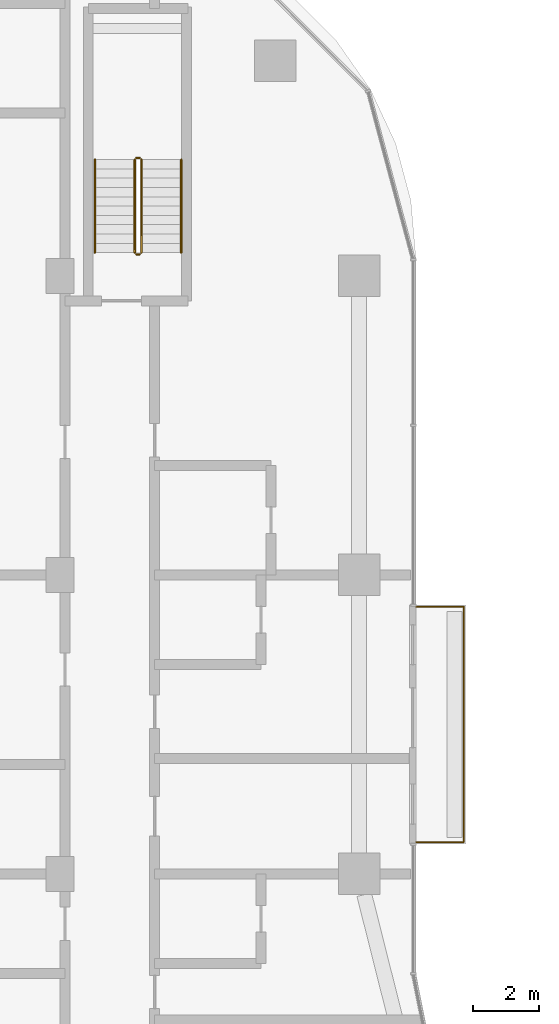
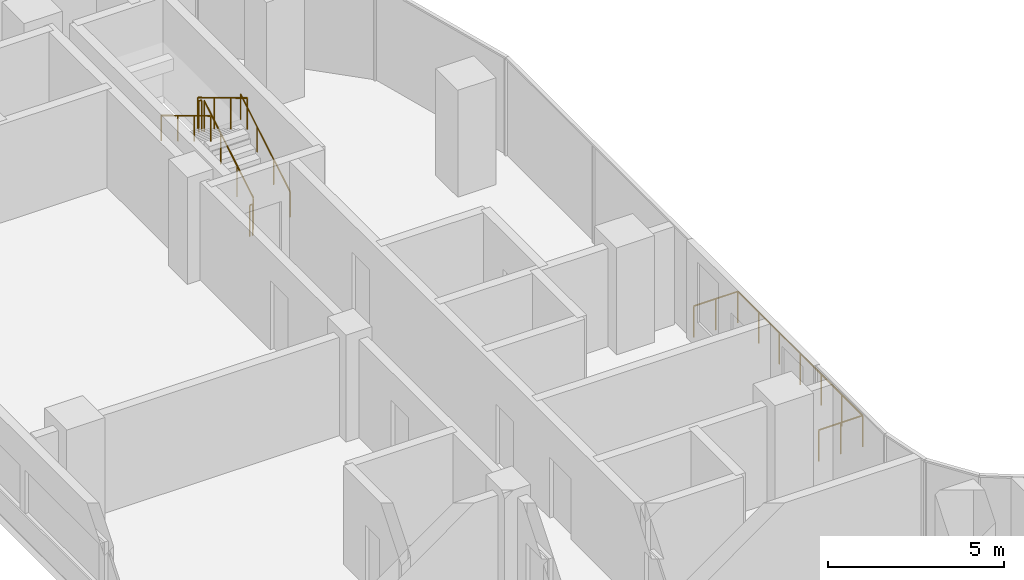
# One storey, part 23 of 23: 7 railings.
"""IFC4 building model written with IfcOpenShell, lengths in metres."""

from ifc_helpers import new_model, si_unit, direction, frame, origin, origin_2d, place, context, subcontext, project, spatial, circle, extrude, material, type_object, element, save


model = new_model("IFC4")

# Units and contexts
model_context = context("Model", 3, precision=1e-05, world=origin(), true_north=direction((0.0, 1.0)))
body_context = subcontext(model_context, "Body", "Model", "MODEL_VIEW")
ifc_project = project(units=[si_unit("LENGTHUNIT", "METRE"), si_unit("AREAUNIT", "SQUARE_METRE"), si_unit("VOLUMEUNIT", "CUBIC_METRE"), si_unit("PLANEANGLEUNIT", "RADIAN"), si_unit("MASSUNIT", "GRAM", prefix="KILO")], contexts=[model_context])

# Site, building, storey
site_placement = place(None, origin())
site = spatial("IfcSite", under=ifc_project, at=site_placement, CompositionType="ELEMENT")
building_placement = place(site_placement, origin())
building = spatial("IfcBuilding", under=site, at=building_placement, Name="Ogive Portal Towers", CompositionType="ELEMENT")
storey_placement = place(building_placement, frame((0.0, 0.0, 127.800048828125)))
storey = spatial("IfcBuildingStorey", under=building, at=storey_placement, Name="L31", CompositionType="ELEMENT", Elevation=127.800048828125)

# Railings
ifc_material_1 = material(Name="Steel S355", Category="steel")
railing_type_1 = type_object("IfcRailingType", Name="BALUSTRADE GLASS 1100", PredefinedType="BALUSTRADE", material=ifc_material_1)
railing_1_placement = place(storey_placement, frame((51.215087890625, 49.4599609375, 0.0)))
element("IfcRailing", 1, at=railing_1_placement, inside=storey, type_object=railing_type_1, Name="A:L31:bal:S1:rail", PredefinedType="BALUSTRADE", context=body_context, shape_type="SweptSolid", body=[
    extrude(circle(Radius=0.02392578125, at=origin_2d()), frame((0.0, 0.0, 1.076171875), z_axis=(1.0, 0.0, 0.0), x_axis=(0.0, 1.0, 0.0)), (0.0, 0.0, 1.0), 1.43994140625),
    extrude(circle(Radius=0.02392578125, at=origin_2d()), frame((1.43994140625, 0.0, 1.076171875), z_axis=(0.0, 1.0, 0.0), x_axis=(-1.0, 0.0, 0.0)), (0.0, 0.0, 1.0), 7.080078125),
    extrude(circle(Radius=0.02392578125, at=origin_2d()), frame((1.43994140625, 7.080078125, 1.076171875), z_axis=(-1.0, 0.0, 0.0), x_axis=(0.0, -1.0, 0.0)), (0.0, 0.0, 1.0), 1.43994140625),
    extrude(circle(Radius=0.02099609375, at=origin_2d()), origin(), (0.0, 0.0, 1.0), 1.052001953125),
    extrude(circle(Radius=0.02099609375, at=origin_2d()), frame((0.719970703125, 0.0, 0.0)), (0.0, 0.0, 1.0), 1.052001953125),
    extrude(circle(Radius=0.02099609375, at=origin_2d()), frame((1.43994140625, 0.0, 0.0)), (0.0, 0.0, 1.0), 1.052001953125),
    extrude(circle(Radius=0.02099609375, at=origin_2d()), frame((1.43994140625, 1.179931640625, 0.0)), (0.0, 0.0, 1.0), 1.052001953125),
    extrude(circle(Radius=0.02099609375, at=origin_2d()), frame((1.43994140625, 2.360107421875, 0.0)), (0.0, 0.0, 1.0), 1.052001953125),
    extrude(circle(Radius=0.02099609375, at=origin_2d()), frame((1.43994140625, 3.5400390625, 0.0)), (0.0, 0.0, 1.0), 1.052001953125),
    extrude(circle(Radius=0.02099609375, at=origin_2d()), frame((1.43994140625, 4.719970703125, 0.0)), (0.0, 0.0, 1.0), 1.052001953125),
    extrude(circle(Radius=0.02099609375, at=origin_2d()), frame((1.43994140625, 5.900146484375, 0.0)), (0.0, 0.0, 1.0), 1.052001953125),
    extrude(circle(Radius=0.02099609375, at=origin_2d()), frame((1.43994140625, 7.080078125, 0.0)), (0.0, 0.0, 1.0), 1.052001953125),
    extrude(circle(Radius=0.02099609375, at=origin_2d()), frame((0.719970703125, 7.080078125, 0.0)), (0.0, 0.0, 1.0), 1.052001953125),
    extrude(circle(Radius=0.02099609375, at=origin_2d()), frame((0.0, 7.080078125, 0.0)), (0.0, 0.0, 1.0), 1.052001953125),
])
ifc_material_2 = material(Name="Stainless steel balustrade", Category="steel")
railing_type_2 = type_object("IfcRailingType", Name="INT-GUARD", PredefinedType="GUARDRAIL", material=ifc_material_2)
railing_2_placement = place(storey_placement, frame((42.949951171875, 67.199951171875, 0.168212890625)))
element("IfcRailing", 2, at=railing_2_placement, inside=storey, type_object=railing_type_2, Name="L31 ST-A3 stair guard 1", PredefinedType="GUARDRAIL", context=body_context, shape_type="SweptSolid", body=[
    extrude(circle(Radius=0.02392578125, at=origin_2d()), frame((0.0, 0.0, 1.076171875), z_axis=(0.0, 0.857275202839, 0.514858452973), x_axis=(-1.0, 0.0, 0.0)), (0.0, 0.0, 1.0), 3.26611328125),
    extrude(circle(Radius=0.02099609375, at=origin_2d()), origin(), (0.0, 0.0, 1.0), 1.052001953125),
    extrude(circle(Radius=0.02099609375, at=origin_2d()), frame((0.0, 0.933349609375, 0.560546875)), (0.0, 0.0, 1.0), 1.052001953125),
    extrude(circle(Radius=0.02099609375, at=origin_2d()), frame((0.0, 1.86669921875, 1.12109375)), (0.0, 0.0, 1.0), 1.052001953125),
    extrude(circle(Radius=0.02099609375, at=origin_2d()), frame((0.0, 2.800048828125, 1.681640625)), (0.0, 0.0, 1.0), 1.052001953125),
])
railing_3_placement = place(storey_placement, frame((42.89990234375, 70.050048828125, 1.849853515625)))
element("IfcRailing", 3, at=railing_3_placement, inside=storey, type_object=railing_type_2, Name="L31 ST-A3 stair guard 2", PredefinedType="GUARDRAIL", context=body_context, shape_type="SweptSolid", body=[
    extrude(circle(Radius=0.02392578125, at=origin_2d()), frame((0.0, 0.0, 1.076171875), z_axis=(-1.0, 0.0, 0.0), x_axis=(0.0, -1.0, 0.0)), (0.0, 0.0, 1.0), 0.099853515625),
    extrude(circle(Radius=0.02099609375, at=origin_2d()), origin(), (0.0, 0.0, 1.0), 1.052001953125),
    extrude(circle(Radius=0.02099609375, at=origin_2d()), frame((-0.099853515625, 0.0, 0.0)), (0.0, 0.0, 1.0), 1.052001953125),
])
railing_4_placement = place(storey_placement, frame((42.75, 70.0, 2.01806640625)))
element("IfcRailing", 4, at=railing_4_placement, inside=storey, type_object=railing_type_2, Name="L31 ST-A3 stair guard 3", PredefinedType="GUARDRAIL", context=body_context, shape_type="SweptSolid", body=[
    extrude(circle(Radius=0.02392578125, at=origin_2d()), frame((0.0, 0.0, 1.076171875), z_axis=(0.0, -0.857242210791, 0.514913383045), x_axis=(1.0, 0.0, 0.0)), (0.0, 0.0, 1.0), 3.266357421875),
    extrude(circle(Radius=0.02099609375, at=origin_2d()), origin(), (0.0, 0.0, 1.0), 1.052001953125),
    extrude(circle(Radius=0.02099609375, at=origin_2d()), frame((0.0, -0.933349609375, 0.560546875)), (0.0, 0.0, 1.0), 1.052001953125),
    extrude(circle(Radius=0.02099609375, at=origin_2d()), frame((0.0, -1.86669921875, 1.121337890625)), (0.0, 0.0, 1.0), 1.052001953125),
    extrude(circle(Radius=0.02099609375, at=origin_2d()), frame((0.0, -2.800048828125, 1.681884765625)), (0.0, 0.0, 1.0), 1.052001953125),
])
railing_5_placement = place(storey_placement, frame((42.89990234375, 67.14990234375, 0.0)))
element("IfcRailing", 5, at=railing_5_placement, inside=storey, type_object=railing_type_2, Name="L31 ST-A3 stair guard 4", PredefinedType="GUARDRAIL", context=body_context, shape_type="SweptSolid", body=[
    extrude(circle(Radius=0.02392578125, at=origin_2d()), frame((0.0, 0.0, 1.076171875), z_axis=(-1.0, 0.0, 0.0), x_axis=(0.0, -1.0, 0.0)), (0.0, 0.0, 1.0), 0.099853515625),
    extrude(circle(Radius=0.02099609375, at=origin_2d()), origin(), (0.0, 0.0, 1.0), 1.052001953125),
    extrude(circle(Radius=0.02099609375, at=origin_2d()), frame((-0.099853515625, 0.0, 0.0)), (0.0, 0.0, 1.0), 1.052001953125),
])
ifc_material_3 = material(Name="Stainless steel handrail", Category="steel")
railing_type_3 = type_object("IfcRailingType", Name="INT-HANDRAIL", PredefinedType="HANDRAIL", material=ifc_material_3)
railing_6_placement = place(storey_placement, frame((44.14990234375, 67.199951171875, 0.168212890625)))
element("IfcRailing", 6, at=railing_6_placement, inside=storey, type_object=railing_type_3, Name="L31 ST-A3 stair handrail 1", PredefinedType="HANDRAIL", context=body_context, shape_type="SweptSolid", body=[
    extrude(circle(Radius=0.02392578125, at=origin_2d()), frame((0.0, 0.0, 0.8759765625), z_axis=(0.0, 0.857275202839, 0.514858452973), x_axis=(-1.0, 0.0, 0.0)), (0.0, 0.0, 1.0), 3.26611328125),
    extrude(circle(Radius=0.02099609375, at=origin_2d()), origin(), (0.0, 0.0, 1.0), 0.851806640625),
    extrude(circle(Radius=0.02099609375, at=origin_2d()), frame((0.0, 0.933349609375, 0.560546875)), (0.0, 0.0, 1.0), 0.851806640625),
    extrude(circle(Radius=0.02099609375, at=origin_2d()), frame((0.0, 1.86669921875, 1.12109375)), (0.0, 0.0, 1.0), 0.851806640625),
    extrude(circle(Radius=0.02099609375, at=origin_2d()), frame((0.0, 2.800048828125, 1.681640625)), (0.0, 0.0, 1.0), 0.851806640625),
])
railing_7_placement = place(storey_placement, frame((41.550048828125, 70.0, 2.01806640625)))
element("IfcRailing", 7, at=railing_7_placement, inside=storey, type_object=railing_type_3, Name="L31 ST-A3 stair handrail 2", PredefinedType="HANDRAIL", context=body_context, shape_type="SweptSolid", body=[
    extrude(circle(Radius=0.02392578125, at=origin_2d()), frame((0.0, 0.0, 0.8759765625), z_axis=(0.0, -0.857242210791, 0.514913383045), x_axis=(1.0, 0.0, 0.0)), (0.0, 0.0, 1.0), 3.266357421875),
    extrude(circle(Radius=0.02099609375, at=origin_2d()), origin(), (0.0, 0.0, 1.0), 0.851806640625),
    extrude(circle(Radius=0.02099609375, at=origin_2d()), frame((0.0, -0.933349609375, 0.560546875)), (0.0, 0.0, 1.0), 0.851806640625),
    extrude(circle(Radius=0.02099609375, at=origin_2d()), frame((0.0, -1.86669921875, 1.121337890625)), (0.0, 0.0, 1.0), 0.851806640625),
    extrude(circle(Radius=0.02099609375, at=origin_2d()), frame((0.0, -2.800048828125, 1.681884765625)), (0.0, 0.0, 1.0), 0.851806640625),
])

save(model, "model.ifc")
